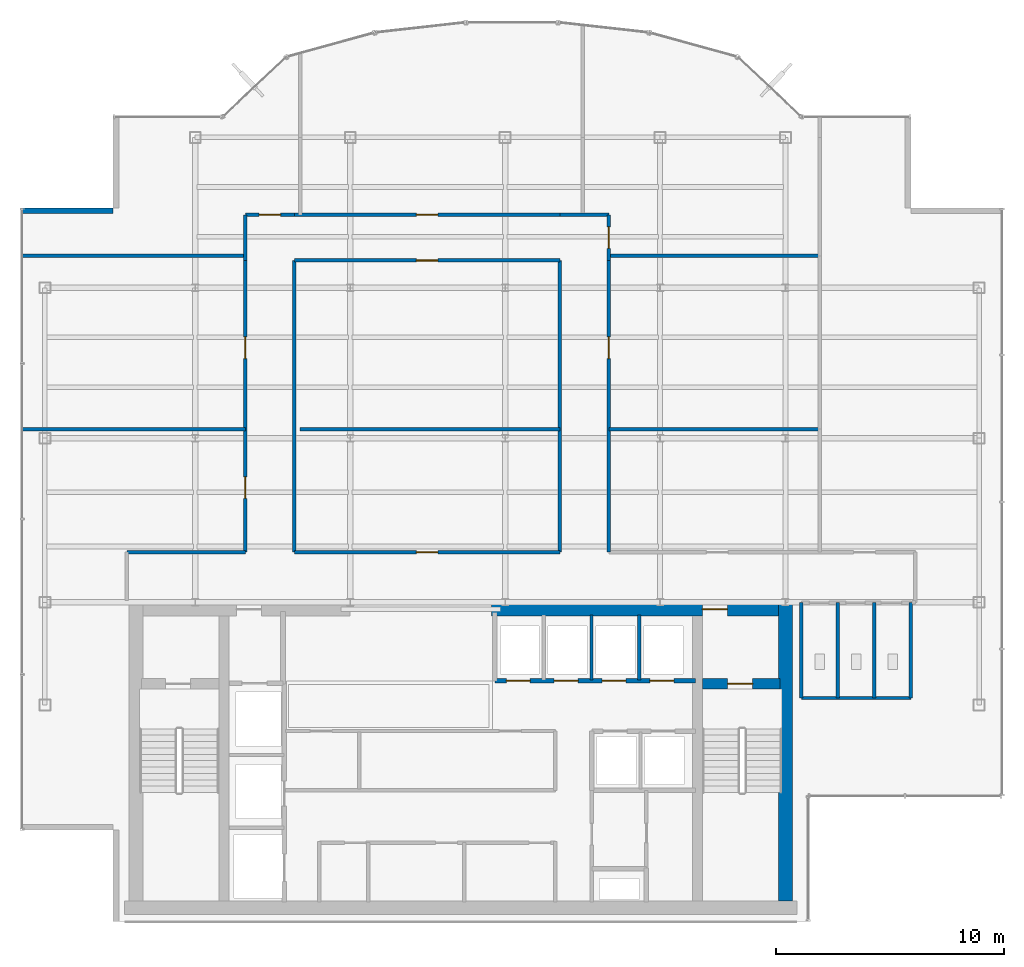
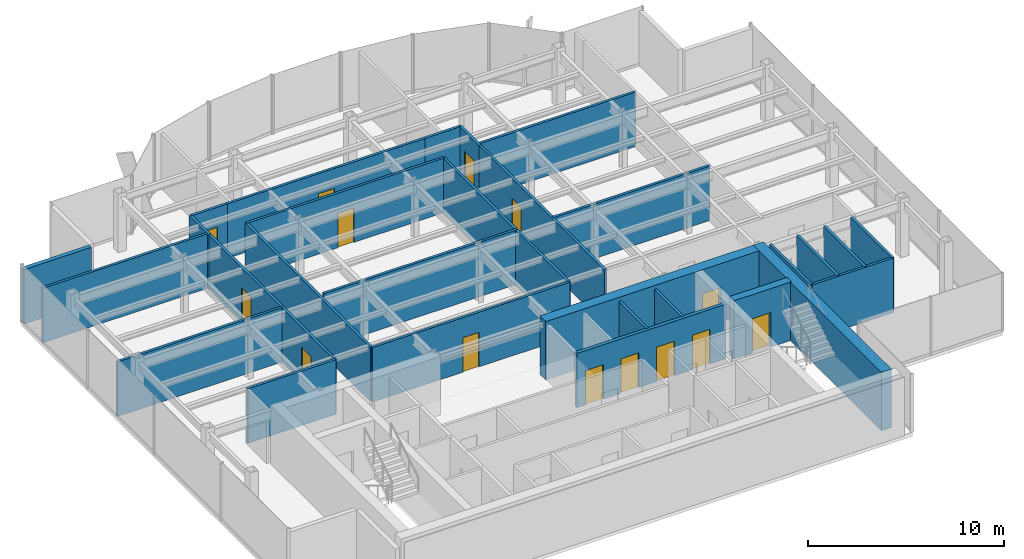
# One storey, part 18 of 22: 29 walls, 14 doors, 14 openings.
"""IFC4 building model written with IfcOpenShell, lengths in metres."""

from ifc_helpers import new_model, si_unit, derived_unit, direction, frame, frame_2d, origin, place, context, subcontext, project, spatial, rectangle, extrude, source, transform, mapped, material, layer, layer_set, type_object, element, fill, save


model = new_model("IFC4")

# Units and contexts
model_context = context("Model", 3, precision=1e-05, world=origin(), true_north=direction((0.0, 1.0)))
body_context = subcontext(model_context, "Body", "Model", "MODEL_VIEW")
ifc_project = project(units=[si_unit("LENGTHUNIT", "METRE"), si_unit("AREAUNIT", "SQUARE_METRE"), si_unit("VOLUMEUNIT", "CUBIC_METRE"), si_unit("PLANEANGLEUNIT", "RADIAN"), si_unit("MASSUNIT", "GRAM", prefix="KILO"), derived_unit("THERMALTRANSMITTANCEUNIT", [(si_unit("POWERUNIT", "WATT"), 1), (si_unit("LENGTHUNIT", "METRE"), -2), (si_unit("THERMODYNAMICTEMPERATUREUNIT", "KELVIN"), -1)])], contexts=[model_context])

# Site, building, storey
site_placement = place(None, origin())
site = spatial("IfcSite", under=ifc_project, at=site_placement, CompositionType="ELEMENT")
building_placement = place(site_placement, origin())
building = spatial("IfcBuilding", under=site, at=building_placement, Name="Skarnbrae Concourse Arena and Tower", CompositionType="ELEMENT")
storey_placement = place(building_placement, frame((0.0, 0.0, 255.14990234375)))
storey = spatial("IfcBuildingStorey", under=building, at=storey_placement, Name="L66", CompositionType="ELEMENT", Elevation=255.14990234375)

# Wall, opening, door
ifc_material_1 = material(Name="Concrete 50 MPa (C50/60)", Category="concrete")
ifc_layer_1 = layer(ifc_material_1, 0.449951171875)
ifc_layer_set_1 = layer_set([ifc_layer_1], Name="Concrete 50 MPa (C50/60)")
wall_type_1 = type_object("IfcWallType", Name="WALL-CORE-450-C50", PredefinedType="SHEAR", material=ifc_layer_set_1)
shared_shape_1 = source(origin(), body_context, "Body", "SweptSolid", [
    extrude(rectangle(XDim=3.389892578125, YDim=0.449951171875, at=frame_2d((1.69482421875, 0.0))), origin(), (0.0, 0.0, 1.0), 3.650146484375),
])
wall_1_placement = place(storey_placement, frame((29.860107421875, 10.419921875, 0.0), z_axis=(0.0, 0.0, 1.0), x_axis=(1.0, 0.0, 0.0)))
wall_1 = element("IfcWall", 1, at=wall_1_placement, inside=storey, type_object=wall_type_1, Name="L66 Rear core shear wall CW-ST2-N", PredefinedType="SHEAR", context=body_context, shape_type="MappedRepresentation", body=[
    mapped(shared_shape_1, transform((0.0, 0.0, 0.0))),
])
opening_1_placement = place(wall_1_placement, frame((1.10009765625, 0.0, 0.0)))
opening_1 = element("IfcOpeningElement", 2, at=opening_1_placement, cuts=wall_1, Name="Opening DT-03", PredefinedType="OPENING", context=body_context, shape_type="SweptSolid", body=[
    extrude(rectangle(XDim=1.10009765625, YDim=2.14990234375, at=frame_2d((0.550048828125, 1.074951171875))), frame((0.0, 0.23486328125, 0.0), z_axis=(0.0, -1.0, 0.0), x_axis=(1.0, 0.0, 0.0)), (0.0, 0.0, 1.0), 0.469970703125),
])
ifc_material_2 = material(Name="Steel CSA G40.21 350W", Category="steel")
door_type_1 = type_object("IfcDoorType", Name="DOOR-FIRE-1100-90M", OperationType="NOTDEFINED", PredefinedType="DOOR", material=ifc_material_2)
shared_shape_2 = source(origin(), body_context, "Body", "SweptSolid", [
    extrude(rectangle(XDim=1.10009765625, YDim=2.14990234375, at=frame_2d((0.550048828125, 1.074951171875))), frame((0.0, 0.02490234375, 0.0), z_axis=(0.0, -1.0, 0.0), x_axis=(1.0, 0.0, 0.0)), (0.0, 0.0, 1.0), 0.050048828125),
])
door_1_placement = place(opening_1_placement, frame((1.10009765625, 0.0, 0.0), z_axis=(0.0, 0.0, 1.0), x_axis=(-1.0, 0.0, 0.0)))
door_1 = element("IfcDoor", 3, at=door_1_placement, inside=storey, type_object=door_type_1, Name="D-1986 Stair ST-2 Door", OperationType="SINGLE_SWING_RIGHT", OverallHeight=2.14990234375, OverallWidth=1.10009765625, PredefinedType="DOOR", context=body_context, shape_type="MappedRepresentation", body=[
    mapped(shared_shape_2, transform((0.0, 0.0, 0.0))),
])
fill(opening_1, door_1)

# Wall
ifc_layer_2 = layer(ifc_material_1, 0.60009765625)
ifc_layer_set_2 = layer_set([ifc_layer_2], Name="Concrete 50 MPa (C50/60)")
wall_type_2 = type_object("IfcWallType", Name="WALL-CORE-600-C50", PredefinedType="SHEAR", material=ifc_layer_set_2)
shared_shape_3 = source(origin(), body_context, "Body", "SweptSolid", [
    extrude(rectangle(XDim=13.10009765625, YDim=0.60009765625, at=frame_2d((6.550048828125, 0.0))), origin(), (0.0, 0.0, 1.0), 3.650146484375),
])
wall_2_placement = place(storey_placement, frame((33.5, 0.89990234375, 0.0), z_axis=(0.0, 0.0, 1.0), x_axis=(0.0, 1.0, 0.0)))
element("IfcWall", 4, at=wall_2_placement, inside=storey, type_object=wall_type_2, Name="L66 Rear core shear wall CW-E", PredefinedType="SHEAR", context=body_context, shape_type="MappedRepresentation", body=[
    mapped(shared_shape_3, transform((0.0, 0.0, 0.0))),
])

# Wall, opening, door
shared_shape_4 = source(origin(), body_context, "Body", "SweptSolid", [
    extrude(rectangle(XDim=12.599853515625, YDim=0.60009765625, at=frame_2d((6.2998046875, 0.0))), origin(), (0.0, 0.0, 1.0), 3.650146484375),
])
wall_3_placement = place(storey_placement, frame((20.60009765625, 13.699951171875, 0.0), z_axis=(0.0, 0.0, 1.0), x_axis=(1.0, 0.0, 0.0)))
wall_3 = element("IfcWall", 5, at=wall_3_placement, inside=storey, type_object=wall_type_2, Name="L66 Rear core shear wall CW-NE", PredefinedType="SHEAR", context=body_context, shape_type="MappedRepresentation", body=[
    mapped(shared_shape_4, transform((0.0, 0.0, 0.0))),
])
opening_2_placement = place(wall_3_placement, frame((9.25, 0.0, 0.0)))
opening_2 = element("IfcOpeningElement", 6, at=opening_2_placement, cuts=wall_3, Name="Opening DT-03", PredefinedType="OPENING", context=body_context, shape_type="SweptSolid", body=[
    extrude(rectangle(XDim=1.10009765625, YDim=2.14990234375, at=frame_2d((0.550048828125, 1.074951171875))), frame((0.0, 0.31005859375, 0.0), z_axis=(0.0, -1.0, 0.0), x_axis=(1.0, 0.0, 0.0)), (0.0, 0.0, 1.0), 0.6201171875),
])
door_2_placement = place(opening_2_placement, origin())
door_2 = element("IfcDoor", 7, at=door_2_placement, inside=storey, type_object=door_type_1, Name="D-1988 Stair ST-2 Vestibule Door", OperationType="SINGLE_SWING_LEFT", OverallHeight=2.14990234375, OverallWidth=1.10009765625, PredefinedType="DOOR", context=body_context, shape_type="MappedRepresentation", body=[
    mapped(shared_shape_2, transform((0.0, 0.0, 0.0))),
])
fill(opening_2, door_2)

# Wall
ifc_material_3 = material(Name="Precast concrete 40 MPa (C40/50)", Category="concrete")
ifc_layer_3 = layer(ifc_material_3, 0.25)
ifc_layer_set_3 = layer_set([ifc_layer_3], Name="Precast concrete 40 MPa (C40/50)")
wall_type_3 = type_object("IfcWallType", Name="WALL-EXT-SPANDREL-250", PredefinedType="STANDARD", material=ifc_layer_set_3)
shared_shape_5 = source(origin(), body_context, "Body", "SweptSolid", [
    extrude(rectangle(XDim=4.0, YDim=0.25, at=frame_2d((2.0, 0.0))), origin(), (0.0, 0.0, 1.0), 3.400146484375),
])
wall_4_placement = place(storey_placement, frame((4.0, 31.175048828125, 0.0), z_axis=(0.0, 0.0, 1.0), x_axis=(-1.0, 0.0, 0.0)))
element("IfcWall", 8, at=wall_4_placement, inside=storey, type_object=wall_type_3, Name="L66 Notched corner insulated return wall 17", PredefinedType="STANDARD", context=body_context, shape_type="MappedRepresentation", body=[
    mapped(shared_shape_5, transform((0.0, 0.0, 0.0))),
])

# Wall, openings, doors
ifc_material_4 = material(Name="Gypsum board on cold-formed steel studs", Category="steel")
ifc_layer_4 = layer(ifc_material_4, 0.199951171875)
ifc_layer_set_4 = layer_set([ifc_layer_4], Name="Gypsum board on cold-formed steel studs")
wall_type_4 = type_object("IfcWallType", Name="WALL-PART-200-2HR", PredefinedType="PARTITIONING", material=ifc_layer_set_4)
shared_shape_6 = source(origin(), body_context, "Body", "SweptSolid", [
    extrude(rectangle(XDim=8.800048828125, YDim=0.199951171875, at=frame_2d((4.39990234375, 0.0))), origin(), (0.0, 0.0, 1.0), 3.400146484375),
])
wall_5_placement = place(storey_placement, frame((20.75, 10.550048828125, 0.0), z_axis=(0.0, 0.0, 1.0), x_axis=(1.0, 0.0, 0.0)))
wall_5 = element("IfcWall", 9, at=wall_5_placement, inside=storey, type_object=wall_type_4, Name="L66 Interior partition wall W-L66-B3N-S", PredefinedType="PARTITIONING", context=body_context, shape_type="MappedRepresentation", body=[
    mapped(shared_shape_6, transform((0.0, 0.0, 0.0))),
])
opening_3_placement = place(wall_5_placement, frame((0.5, 0.0, 0.0)))
opening_3 = element("IfcOpeningElement", 10, at=opening_3_placement, cuts=wall_5, Name="Opening LD-04", PredefinedType="OPENING", context=body_context, shape_type="SweptSolid", body=[
    extrude(rectangle(XDim=1.050048828125, YDim=2.14990234375, at=frame_2d((0.52490234375, 1.074951171875))), frame((0.0, 0.10986328125, 0.0), z_axis=(0.0, -1.0, 0.0), x_axis=(1.0, 0.0, 0.0)), (0.0, 0.0, 1.0), 0.219970703125),
])
opening_4_placement = place(wall_5_placement, frame((2.60009765625, 0.0, 0.0)))
opening_4 = element("IfcOpeningElement", 11, at=opening_4_placement, cuts=wall_5, Name="Opening LD-04", PredefinedType="OPENING", context=body_context, shape_type="SweptSolid", body=[
    extrude(rectangle(XDim=1.050048828125, YDim=2.14990234375, at=frame_2d((0.52490234375, 1.074951171875))), frame((0.0, 0.10986328125, 0.0), z_axis=(0.0, -1.0, 0.0), x_axis=(1.0, 0.0, 0.0)), (0.0, 0.0, 1.0), 0.219970703125),
])
opening_5_placement = place(wall_5_placement, frame((4.699951171875, 0.0, 0.0)))
opening_5 = element("IfcOpeningElement", 12, at=opening_5_placement, cuts=wall_5, Name="Opening LD-04", PredefinedType="OPENING", context=body_context, shape_type="SweptSolid", body=[
    extrude(rectangle(XDim=1.050048828125, YDim=2.14990234375, at=frame_2d((0.52490234375, 1.074951171875))), frame((0.0, 0.10986328125, 0.0), z_axis=(0.0, -1.0, 0.0), x_axis=(1.0, 0.0, 0.0)), (0.0, 0.0, 1.0), 0.219970703125),
])
opening_6_placement = place(wall_5_placement, frame((6.800048828125, 0.0, 0.0)))
opening_6 = element("IfcOpeningElement", 13, at=opening_6_placement, cuts=wall_5, Name="Opening LD-04", PredefinedType="OPENING", context=body_context, shape_type="SweptSolid", body=[
    extrude(rectangle(XDim=1.050048828125, YDim=2.14990234375, at=frame_2d((0.52490234375, 1.074951171875))), frame((0.0, 0.10986328125, 0.0), z_axis=(0.0, -1.0, 0.0), x_axis=(1.0, 0.0, 0.0)), (0.0, 0.0, 1.0), 0.219970703125),
])
ifc_material_5 = material(Name="Bronze anodised aluminium 6063-T6", Category="aluminium")
door_type_2 = type_object("IfcDoorType", Name="DOOR-LIFT-SLIDE-1050H", OperationType="SLIDING_TO_LEFT", PredefinedType="DOOR", material=ifc_material_5)
shared_shape_7 = source(origin(), body_context, "Body", "SweptSolid", [
    extrude(rectangle(XDim=1.050048828125, YDim=2.14990234375, at=frame_2d((0.52490234375, 1.074951171875))), frame((0.0, 0.02490234375, 0.0), z_axis=(0.0, -1.0, 0.0), x_axis=(1.0, 0.0, 0.0)), (0.0, 0.0, 1.0), 0.050048828125),
])
door_3_placement = place(opening_3_placement, frame((1.050048828125, 0.0, 0.0), z_axis=(0.0, 0.0, 1.0), x_axis=(-1.0, 0.0, 0.0)))
door_3 = element("IfcDoor", 14, at=door_3_placement, inside=storey, type_object=door_type_2, Name="D-1997 Passenger Lift Landing Door PL-3A", OperationType="SLIDING_TO_LEFT", OverallHeight=2.14990234375, OverallWidth=1.050048828125, PredefinedType="DOOR", context=body_context, shape_type="MappedRepresentation", body=[
    mapped(shared_shape_7, transform((0.0, 0.0, 0.0))),
])
fill(opening_3, door_3)
door_4_placement = place(opening_4_placement, frame((1.050048828125, 0.0, 0.0), z_axis=(0.0, 0.0, 1.0), x_axis=(-1.0, 0.0, 0.0)))
door_4 = element("IfcDoor", 15, at=door_4_placement, inside=storey, type_object=door_type_2, Name="D-1998 Passenger Lift Landing Door PL-3B", OperationType="SLIDING_TO_LEFT", OverallHeight=2.14990234375, OverallWidth=1.050048828125, PredefinedType="DOOR", context=body_context, shape_type="MappedRepresentation", body=[
    mapped(shared_shape_7, transform((0.0, 0.0, 0.0))),
])
fill(opening_4, door_4)
door_5_placement = place(opening_5_placement, frame((1.050048828125, 0.0, 0.0), z_axis=(0.0, 0.0, 1.0), x_axis=(-1.0, 0.0, 0.0)))
door_5 = element("IfcDoor", 16, at=door_5_placement, inside=storey, type_object=door_type_2, Name="D-1999 Passenger Lift Landing Door PL-3C", OperationType="SLIDING_TO_LEFT", OverallHeight=2.14990234375, OverallWidth=1.050048828125, PredefinedType="DOOR", context=body_context, shape_type="MappedRepresentation", body=[
    mapped(shared_shape_7, transform((0.0, 0.0, 0.0))),
])
fill(opening_5, door_5)
door_6_placement = place(opening_6_placement, frame((1.050048828125, 0.0, 0.0), z_axis=(0.0, 0.0, 1.0), x_axis=(-1.0, 0.0, 0.0)))
door_6 = element("IfcDoor", 17, at=door_6_placement, inside=storey, type_object=door_type_2, Name="D-2000 Passenger Lift Landing Door PL-3D", OperationType="SLIDING_TO_LEFT", OverallHeight=2.14990234375, OverallWidth=1.050048828125, PredefinedType="DOOR", context=body_context, shape_type="MappedRepresentation", body=[
    mapped(shared_shape_7, transform((0.0, 0.0, 0.0))),
])
fill(opening_6, door_6)

# Walls
ifc_layer_5 = layer(ifc_material_4, 0.14990234375)
ifc_layer_set_5 = layer_set([ifc_layer_5], Name="Gypsum board on cold-formed steel studs")
wall_type_5 = type_object("IfcWallType", Name="WALL-PART-150", PredefinedType="PARTITIONING", material=ifc_layer_set_5)
shared_shape_8 = source(origin(), body_context, "Body", "SweptSolid", [
    extrude(rectangle(XDim=2.849853515625, YDim=0.14990234375, at=frame_2d((1.4248046875, 0.0))), origin(), (0.0, 0.0, 1.0), 3.400146484375),
])
for number, where, z_axis, x_axis, name in (
    (18, (24.989990234375, 10.60009765625, 0.0), (0.0, 0.0, 1.0), (0.0, 1.0, 0.0), "L66 Interior partition wall W-L66-B3N-P2"),
    (19, (27.090087890625, 10.60009765625, 0.0), (0.0, 0.0, 1.0), (0.0, 1.0, 0.0), "L66 Interior partition wall W-L66-B3N-P3"),
):
    element("IfcWall", number, at=place(storey_placement, frame(where, z_axis=z_axis, x_axis=x_axis)), inside=storey, type_object=wall_type_5, Name=name, PredefinedType="PARTITIONING", context=body_context, shape_type="MappedRepresentation", body=[
        mapped(shared_shape_8, transform((0.0, 0.0, 0.0))),
    ])
shared_shape_9 = source(origin(), body_context, "Body", "SweptSolid", [
    extrude(rectangle(XDim=4.800048828125, YDim=0.14990234375, at=frame_2d((2.39990234375, 0.0))), origin(), (0.0, 0.0, 1.0), 3.400146484375),
])
wall_6_placement = place(storey_placement, frame((34.199951171875, 9.800048828125, 0.0), z_axis=(0.0, 0.0, 1.0), x_axis=(1.0, 0.0, 0.0)))
element("IfcWall", 20, at=wall_6_placement, inside=storey, type_object=wall_type_5, Name="L66 Interior partition wall W-L66-WC-S", PredefinedType="PARTITIONING", context=body_context, shape_type="MappedRepresentation", body=[
    mapped(shared_shape_9, transform((0.0, 0.0, 0.0))),
])
shared_shape_10 = source(origin(), body_context, "Body", "SweptSolid", [
    extrude(rectangle(XDim=4.179931640625, YDim=0.14990234375, at=frame_2d((2.08984375, 0.0))), origin(), (0.0, 0.0, 1.0), 3.400146484375),
])
for number, where, z_axis, x_axis, name in (
    (21, (39.0, 9.800048828125, 0.0), (0.0, 0.0, 1.0), (0.0, 1.0, 0.0), "L66 Interior partition wall W-L66-WC-E"),
    (22, (34.199951171875, 9.800048828125, 0.0), (0.0, 0.0, 1.0), (0.0, 1.0, 0.0), "L66 Interior partition wall W-L66-WC-W"),
    (23, (35.800048828125, 9.800048828125, 0.0), (0.0, 0.0, 1.0), (0.0, 1.0, 0.0), "L66 Interior partition wall W-L66-WC-D1"),
    (24, (37.39990234375, 9.800048828125, 0.0), (0.0, 0.0, 1.0), (0.0, 1.0, 0.0), "L66 Interior partition wall W-L66-WC-D2"),
):
    element("IfcWall", number, at=place(storey_placement, frame(where, z_axis=z_axis, x_axis=x_axis)), inside=storey, type_object=wall_type_5, Name=name, PredefinedType="PARTITIONING", context=body_context, shape_type="MappedRepresentation", body=[
        mapped(shared_shape_10, transform((0.0, 0.0, 0.0))),
    ])
shared_shape_11 = source(origin(), body_context, "Body", "SweptSolid", [
    extrude(rectangle(XDim=9.780029296875, YDim=0.14990234375, at=frame_2d((4.89013671875, 0.0))), origin(), (0.0, 0.0, 1.0), 3.400146484375),
])
for number, where, z_axis, x_axis, name in (
    (25, (0.02001953125, 21.60009765625, 0.0), (0.0, 0.0, 1.0), (1.0, 0.0, 0.0), "L66 Interior partition wall W-L66-DEM-17"),
    (26, (0.02001953125, 29.199951171875, 0.0), (0.0, 0.0, 1.0), (1.0, 0.0, 0.0), "L66 Interior partition wall W-L66-DEM-18"),
):
    element("IfcWall", number, at=place(storey_placement, frame(where, z_axis=z_axis, x_axis=x_axis)), inside=storey, type_object=wall_type_5, Name=name, PredefinedType="PARTITIONING", context=body_context, shape_type="MappedRepresentation", body=[
        mapped(shared_shape_11, transform((0.0, 0.0, 0.0))),
    ])
ifc_layer_6 = layer(ifc_material_4, 0.14990234375)
ifc_layer_set_6 = layer_set([ifc_layer_6], Name="Gypsum board on cold-formed steel studs")
wall_type_6 = type_object("IfcWallType", Name="WALL-PART-150-1HR", PredefinedType="PARTITIONING", material=ifc_layer_set_6)
shared_shape_12 = source(origin(), body_context, "Body", "SweptSolid", [
    extrude(rectangle(XDim=5.199951171875, YDim=0.14990234375, at=frame_2d((2.60009765625, 0.0))), origin(), (0.0, 0.0, 1.0), 3.400146484375),
])
wall_7_placement = place(storey_placement, frame((4.60009765625, 16.199951171875, 0.0), z_axis=(0.0, 0.0, 1.0), x_axis=(1.0, 0.0, 0.0)))
element("IfcWall", 27, at=wall_7_placement, inside=storey, type_object=wall_type_6, Name="L66 Interior partition wall W-L66-COR-02", PredefinedType="PARTITIONING", context=body_context, shape_type="MappedRepresentation", body=[
    mapped(shared_shape_12, transform((0.0, 0.0, 0.0))),
])

# Wall, openings, doors
shared_shape_13 = source(origin(), body_context, "Body", "SweptSolid", [
    extrude(rectangle(XDim=12.800048828125, YDim=0.14990234375, at=frame_2d((6.39990234375, 0.0))), origin(), (0.0, 0.0, 1.0), 3.400146484375),
])
wall_8_placement = place(storey_placement, frame((9.800048828125, 16.199951171875, 0.0), z_axis=(0.0, 0.0, 1.0), x_axis=(0.0, 1.0, 0.0)))
wall_8 = element("IfcWall", 28, at=wall_8_placement, inside=storey, type_object=wall_type_6, Name="L66 Interior partition wall W-L66-COR-03", PredefinedType="PARTITIONING", context=body_context, shape_type="MappedRepresentation", body=[
    mapped(shared_shape_13, transform((0.0, 0.0, 0.0))),
])
opening_7_placement = place(wall_8_placement, frame((2.35498046875, 0.0, 0.0)))
opening_7 = element("IfcOpeningElement", 29, at=opening_7_placement, cuts=wall_8, Name="Opening DT-04", PredefinedType="OPENING", context=body_context, shape_type="SweptSolid", body=[
    extrude(rectangle(XDim=0.949951171875, YDim=2.14990234375, at=frame_2d((0.47509765625, 1.074951171875))), frame((0.0, 0.0849609375, 0.0), z_axis=(0.0, -1.0, 0.0), x_axis=(1.0, 0.0, 0.0)), (0.0, 0.0, 1.0), 0.169921875),
])
opening_8_placement = place(wall_8_placement, frame((8.4951171875, 0.0, 0.0)))
opening_8 = element("IfcOpeningElement", 30, at=opening_8_placement, cuts=wall_8, Name="Opening DT-04", PredefinedType="OPENING", context=body_context, shape_type="SweptSolid", body=[
    extrude(rectangle(XDim=0.949951171875, YDim=2.14990234375, at=frame_2d((0.47509765625, 1.074951171875))), frame((0.0, 0.0849609375, 0.0), z_axis=(0.0, -1.0, 0.0), x_axis=(1.0, 0.0, 0.0)), (0.0, 0.0, 1.0), 0.169921875),
])
door_type_3 = type_object("IfcDoorType", Name="DOOR-INT-950-45M", OperationType="NOTDEFINED", PredefinedType="DOOR", material=ifc_material_2)
shared_shape_14 = source(origin(), body_context, "Body", "SweptSolid", [
    extrude(rectangle(XDim=0.949951171875, YDim=2.14990234375, at=frame_2d((0.47509765625, 1.074951171875))), frame((0.0, 0.02490234375, 0.0), z_axis=(0.0, -1.0, 0.0), x_axis=(1.0, 0.0, 0.0)), (0.0, 0.0, 1.0), 0.050048828125),
])
door_7_placement = place(opening_7_placement, origin())
door_7 = element("IfcDoor", 31, at=door_7_placement, inside=storey, type_object=door_type_3, Name="D-2008 L66 Suite Door 01", OperationType="SINGLE_SWING_RIGHT", OverallHeight=2.14990234375, OverallWidth=0.949951171875, PredefinedType="DOOR", context=body_context, shape_type="MappedRepresentation", body=[
    mapped(shared_shape_14, transform((0.0, 0.0, 0.0))),
])
fill(opening_7, door_7)
door_8_placement = place(opening_8_placement, origin())
door_8 = element("IfcDoor", 32, at=door_8_placement, inside=storey, type_object=door_type_3, Name="D-2009 L66 Suite Door 02", OperationType="SINGLE_SWING_LEFT", OverallHeight=2.14990234375, OverallWidth=0.949951171875, PredefinedType="DOOR", context=body_context, shape_type="MappedRepresentation", body=[
    mapped(shared_shape_14, transform((0.0, 0.0, 0.0))),
])
fill(opening_8, door_8)

# Wall, opening, door
wall_9_placement = place(storey_placement, frame((25.75, 29.0, 0.0), z_axis=(0.0, 0.0, 1.0), x_axis=(0.0, -1.0, 0.0)))
wall_9 = element("IfcWall", 33, at=wall_9_placement, inside=storey, type_object=wall_type_6, Name="L66 Interior partition wall W-L66-COR-09", PredefinedType="PARTITIONING", context=body_context, shape_type="MappedRepresentation", body=[
    mapped(shared_shape_13, transform((0.0, 0.0, 0.0))),
])
opening_9_placement = place(wall_9_placement, frame((3.35498046875, 0.0, 0.0)))
opening_9 = element("IfcOpeningElement", 34, at=opening_9_placement, cuts=wall_9, Name="Opening DT-04", PredefinedType="OPENING", context=body_context, shape_type="SweptSolid", body=[
    extrude(rectangle(XDim=0.949951171875, YDim=2.14990234375, at=frame_2d((0.47509765625, 1.074951171875))), frame((0.0, 0.0849609375, 0.0), z_axis=(0.0, -1.0, 0.0), x_axis=(1.0, 0.0, 0.0)), (0.0, 0.0, 1.0), 0.169921875),
])
door_9_placement = place(opening_9_placement, origin())
door_9 = element("IfcDoor", 35, at=door_9_placement, inside=storey, type_object=door_type_3, Name="D-2016 L66 Suite Door 09", OperationType="SINGLE_SWING_RIGHT", OverallHeight=2.14990234375, OverallWidth=0.949951171875, PredefinedType="DOOR", context=body_context, shape_type="MappedRepresentation", body=[
    mapped(shared_shape_14, transform((0.0, 0.0, 0.0))),
])
fill(opening_9, door_9)

# Walls
for number, where, z_axis, x_axis, name in (
    (36, (23.60009765625, 16.199951171875, 0.0), (0.0, 0.0, 1.0), (0.0, 1.0, 0.0), "L66 Interior partition wall W-L66-COR-14"),
    (37, (11.949951171875, 29.0, 0.0), (0.0, 0.0, 1.0), (0.0, -1.0, 0.0), "L66 Interior partition wall W-L66-COR-16"),
):
    element("IfcWall", number, at=place(storey_placement, frame(where, z_axis=z_axis, x_axis=x_axis)), inside=storey, type_object=wall_type_6, Name=name, PredefinedType="PARTITIONING", context=body_context, shape_type="MappedRepresentation", body=[
        mapped(shared_shape_13, transform((0.0, 0.0, 0.0))),
    ])
shared_shape_15 = source(origin(), body_context, "Body", "SweptSolid", [
    extrude(rectangle(XDim=11.400146484375, YDim=0.14990234375, at=frame_2d((5.7001953125, 0.0))), origin(), (0.0, 0.0, 1.0), 3.400146484375),
])
wall_10_placement = place(storey_placement, frame((23.60009765625, 21.60009765625, 0.0), z_axis=(0.0, 0.0, 1.0), x_axis=(-1.0, 0.0, 0.0)))
element("IfcWall", 38, at=wall_10_placement, inside=storey, type_object=wall_type_5, Name="L66 Interior partition wall W-L66-DEM-19", PredefinedType="PARTITIONING", context=body_context, shape_type="MappedRepresentation", body=[
    mapped(shared_shape_15, transform((0.0, 0.0, 0.0))),
])
shared_shape_16 = source(origin(), body_context, "Body", "SweptSolid", [
    extrude(rectangle(XDim=2.0, YDim=0.14990234375, at=frame_2d((1.0, 0.0))), origin(), (0.0, 0.0, 1.0), 3.400146484375),
])
wall_11_placement = place(storey_placement, frame((9.800048828125, 29.0, 0.0), z_axis=(0.0, 0.0, 1.0), x_axis=(0.0, 1.0, 0.0)))
element("IfcWall", 39, at=wall_11_placement, inside=storey, type_object=wall_type_6, Name="L66 Interior partition wall W-L66-COR-04", PredefinedType="PARTITIONING", context=body_context, shape_type="MappedRepresentation", body=[
    mapped(shared_shape_16, transform((0.0, 0.0, 0.0))),
])

# Wall, opening, door
wall_12_placement = place(storey_placement, frame((25.75, 31.0, 0.0), z_axis=(0.0, 0.0, 1.0), x_axis=(0.0, -1.0, 0.0)))
wall_12 = element("IfcWall", 40, at=wall_12_placement, inside=storey, type_object=wall_type_6, Name="L66 Interior partition wall W-L66-COR-08", PredefinedType="PARTITIONING", context=body_context, shape_type="MappedRepresentation", body=[
    mapped(shared_shape_16, transform((0.0, 0.0, 0.0))),
])
opening_10_placement = place(wall_12_placement, frame((0.52490234375, 0.0, 0.0)))
opening_10 = element("IfcOpeningElement", 41, at=opening_10_placement, cuts=wall_12, Name="Opening DT-04", PredefinedType="OPENING", context=body_context, shape_type="SweptSolid", body=[
    extrude(rectangle(XDim=0.949951171875, YDim=2.14990234375, at=frame_2d((0.47509765625, 1.074951171875))), frame((0.0, 0.0849609375, 0.0), z_axis=(0.0, -1.0, 0.0), x_axis=(1.0, 0.0, 0.0)), (0.0, 0.0, 1.0), 0.169921875),
])
door_10_placement = place(opening_10_placement, origin())
door_10 = element("IfcDoor", 42, at=door_10_placement, inside=storey, type_object=door_type_3, Name="D-2014 L66 Suite Door 07", OperationType="SINGLE_SWING_RIGHT", OverallHeight=2.14990234375, OverallWidth=0.949951171875, PredefinedType="DOOR", context=body_context, shape_type="MappedRepresentation", body=[
    mapped(shared_shape_14, transform((0.0, 0.0, 0.0))),
])
fill(opening_10, door_10)

shared_shape_17 = source(origin(), body_context, "Body", "SweptSolid", [
    extrude(rectangle(XDim=2.14990234375, YDim=0.14990234375, at=frame_2d((1.074951171875, 0.0))), origin(), (0.0, 0.0, 1.0), 3.400146484375),
])
wall_13_placement = place(storey_placement, frame((9.800048828125, 31.0, 0.0), z_axis=(0.0, 0.0, 1.0), x_axis=(1.0, 0.0, 0.0)))
wall_13 = element("IfcWall", 43, at=wall_13_placement, inside=storey, type_object=wall_type_6, Name="L66 Interior partition wall W-L66-COR-05", PredefinedType="PARTITIONING", context=body_context, shape_type="MappedRepresentation", body=[
    mapped(shared_shape_17, transform((0.0, 0.0, 0.0))),
])
opening_11_placement = place(wall_13_placement, frame((0.60009765625, 0.0, 0.0)))
opening_11 = element("IfcOpeningElement", 44, at=opening_11_placement, cuts=wall_13, Name="Opening DT-04", PredefinedType="OPENING", context=body_context, shape_type="SweptSolid", body=[
    extrude(rectangle(XDim=0.949951171875, YDim=2.14990234375, at=frame_2d((0.47509765625, 1.074951171875))), frame((0.0, 0.0849609375, 0.0), z_axis=(0.0, -1.0, 0.0), x_axis=(1.0, 0.0, 0.0)), (0.0, 0.0, 1.0), 0.169921875),
])
door_11_placement = place(opening_11_placement, origin())
door_11 = element("IfcDoor", 45, at=door_11_placement, inside=storey, type_object=door_type_3, Name="D-2010 L66 Suite Door 03", OperationType="SINGLE_SWING_RIGHT", OverallHeight=2.14990234375, OverallWidth=0.949951171875, PredefinedType="DOOR", context=body_context, shape_type="MappedRepresentation", body=[
    mapped(shared_shape_14, transform((0.0, 0.0, 0.0))),
])
fill(opening_11, door_11)

# Wall
wall_14_placement = place(storey_placement, frame((23.60009765625, 31.0, 0.0), z_axis=(0.0, 0.0, 1.0), x_axis=(1.0, 0.0, 0.0)))
element("IfcWall", 46, at=wall_14_placement, inside=storey, type_object=wall_type_6, Name="L66 Interior partition wall W-L66-COR-07", PredefinedType="PARTITIONING", context=body_context, shape_type="MappedRepresentation", body=[
    mapped(shared_shape_17, transform((0.0, 0.0, 0.0))),
])

# Wall, opening, door
shared_shape_18 = source(origin(), body_context, "Body", "SweptSolid", [
    extrude(rectangle(XDim=11.650146484375, YDim=0.14990234375, at=frame_2d((5.8251953125, 0.0))), origin(), (0.0, 0.0, 1.0), 3.400146484375),
])
wall_15_placement = place(storey_placement, frame((11.949951171875, 31.0, 0.0), z_axis=(0.0, 0.0, 1.0), x_axis=(1.0, 0.0, 0.0)))
wall_15 = element("IfcWall", 47, at=wall_15_placement, inside=storey, type_object=wall_type_6, Name="L66 Interior partition wall W-L66-COR-06", PredefinedType="PARTITIONING", context=body_context, shape_type="MappedRepresentation", body=[
    mapped(shared_shape_18, transform((0.0, 0.0, 0.0))),
])
opening_12_placement = place(wall_15_placement, frame((5.35009765625, 0.0, 0.0)))
opening_12 = element("IfcOpeningElement", 48, at=opening_12_placement, cuts=wall_15, Name="Opening DT-04", PredefinedType="OPENING", context=body_context, shape_type="SweptSolid", body=[
    extrude(rectangle(XDim=0.949951171875, YDim=2.14990234375, at=frame_2d((0.47509765625, 1.074951171875))), frame((0.0, 0.0849609375, 0.0), z_axis=(0.0, -1.0, 0.0), x_axis=(1.0, 0.0, 0.0)), (0.0, 0.0, 1.0), 0.169921875),
])
door_12_placement = place(opening_12_placement, origin())
door_12 = element("IfcDoor", 49, at=door_12_placement, inside=storey, type_object=door_type_3, Name="D-2013 L66 Suite Door 06", OperationType="SINGLE_SWING_LEFT", OverallHeight=2.14990234375, OverallWidth=0.949951171875, PredefinedType="DOOR", context=body_context, shape_type="MappedRepresentation", body=[
    mapped(shared_shape_14, transform((0.0, 0.0, 0.0))),
])
fill(opening_12, door_12)

wall_16_placement = place(storey_placement, frame((11.949951171875, 16.199951171875, 0.0), z_axis=(0.0, 0.0, 1.0), x_axis=(1.0, 0.0, 0.0)))
wall_16 = element("IfcWall", 50, at=wall_16_placement, inside=storey, type_object=wall_type_6, Name="L66 Interior partition wall W-L66-COR-13", PredefinedType="PARTITIONING", context=body_context, shape_type="MappedRepresentation", body=[
    mapped(shared_shape_18, transform((0.0, 0.0, 0.0))),
])
opening_13_placement = place(wall_16_placement, frame((5.35009765625, 0.0, 0.0)))
opening_13 = element("IfcOpeningElement", 51, at=opening_13_placement, cuts=wall_16, Name="Opening DT-04", PredefinedType="OPENING", context=body_context, shape_type="SweptSolid", body=[
    extrude(rectangle(XDim=0.949951171875, YDim=2.14990234375, at=frame_2d((0.47509765625, 1.074951171875))), frame((0.0, 0.0849609375, 0.0), z_axis=(0.0, -1.0, 0.0), x_axis=(1.0, 0.0, 0.0)), (0.0, 0.0, 1.0), 0.169921875),
])
door_13_placement = place(opening_13_placement, origin())
door_13 = element("IfcDoor", 52, at=door_13_placement, inside=storey, type_object=door_type_3, Name="D-2012 L66 Suite Door 05", OperationType="SINGLE_SWING_RIGHT", OverallHeight=2.14990234375, OverallWidth=0.949951171875, PredefinedType="DOOR", context=body_context, shape_type="MappedRepresentation", body=[
    mapped(shared_shape_14, transform((0.0, 0.0, 0.0))),
])
fill(opening_13, door_13)

wall_17_placement = place(storey_placement, frame((23.60009765625, 29.0, 0.0), z_axis=(0.0, 0.0, 1.0), x_axis=(-1.0, 0.0, 0.0)))
wall_17 = element("IfcWall", 53, at=wall_17_placement, inside=storey, type_object=wall_type_6, Name="L66 Interior partition wall W-L66-COR-15", PredefinedType="PARTITIONING", context=body_context, shape_type="MappedRepresentation", body=[
    mapped(shared_shape_18, transform((0.0, 0.0, 0.0))),
])
opening_14_placement = place(wall_17_placement, frame((5.35009765625, 0.0, 0.0)))
opening_14 = element("IfcOpeningElement", 54, at=opening_14_placement, cuts=wall_17, Name="Opening DT-04", PredefinedType="OPENING", context=body_context, shape_type="SweptSolid", body=[
    extrude(rectangle(XDim=0.949951171875, YDim=2.14990234375, at=frame_2d((0.47509765625, 1.074951171875))), frame((0.0, 0.0849609375, 0.0), z_axis=(0.0, -1.0, 0.0), x_axis=(1.0, 0.0, 0.0)), (0.0, 0.0, 1.0), 0.169921875),
])
door_14_placement = place(opening_14_placement, origin())
door_14 = element("IfcDoor", 55, at=door_14_placement, inside=storey, type_object=door_type_3, Name="D-2011 L66 Suite Door 04", OperationType="SINGLE_SWING_LEFT", OverallHeight=2.14990234375, OverallWidth=0.949951171875, PredefinedType="DOOR", context=body_context, shape_type="MappedRepresentation", body=[
    mapped(shared_shape_14, transform((0.0, 0.0, 0.0))),
])
fill(opening_14, door_14)

# Walls
shared_shape_19 = source(origin(), body_context, "Body", "SweptSolid", [
    extrude(rectangle(XDim=9.25, YDim=0.14990234375, at=frame_2d((4.625, 0.0))), origin(), (0.0, 0.0, 1.0), 3.400146484375),
])
for number, where, z_axis, x_axis, name in (
    (56, (25.75, 21.60009765625, 0.0), (0.0, 0.0, 1.0), (1.0, 0.0, 0.0), "L66 Interior partition wall W-L66-DEM-24"),
    (57, (35.0, 29.199951171875, 0.0), (0.0, 0.0, 1.0), (-1.0, 0.0, 0.0), "L66 Interior partition wall W-L66-DEM-25"),
):
    element("IfcWall", number, at=place(storey_placement, frame(where, z_axis=z_axis, x_axis=x_axis)), inside=storey, type_object=wall_type_5, Name=name, PredefinedType="PARTITIONING", context=body_context, shape_type="MappedRepresentation", body=[
        mapped(shared_shape_19, transform((0.0, 0.0, 0.0))),
    ])

save(model, "model.ifc")
